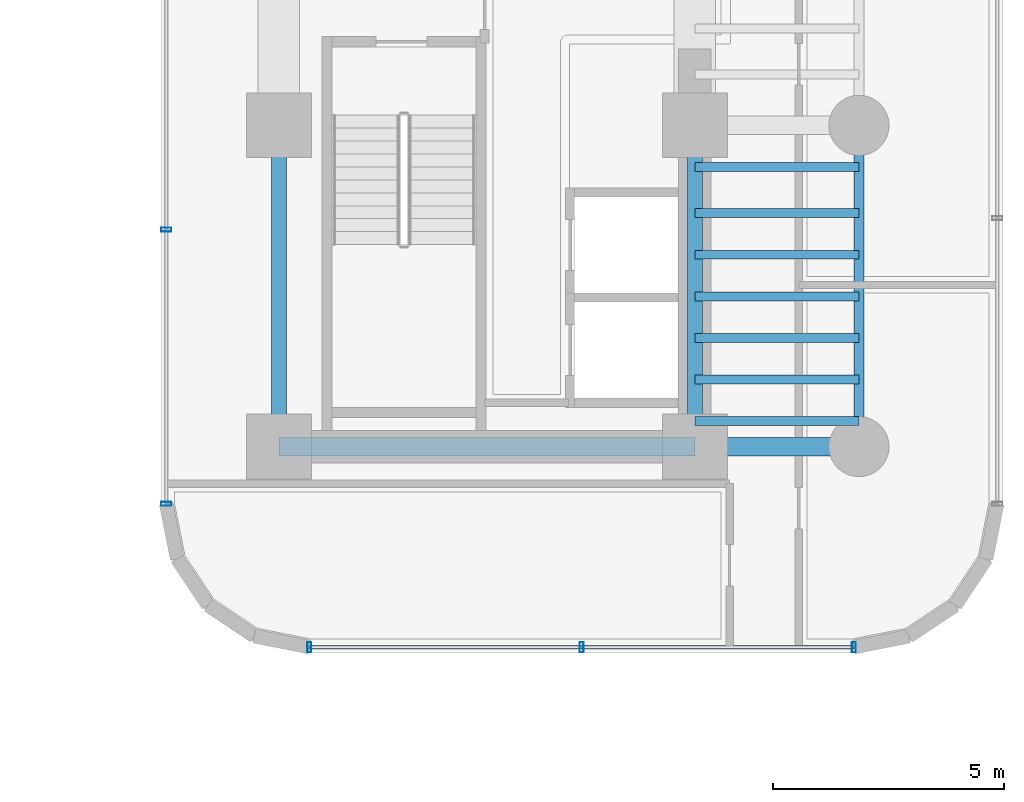
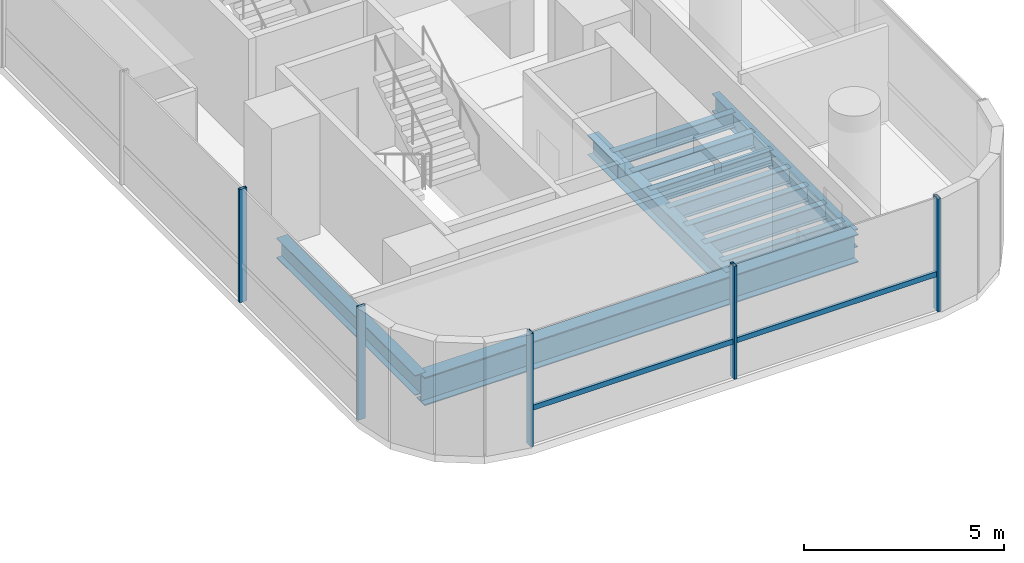
# One storey, part 13 of 39: 12 beams, 6 members, 2 elements without a shape of their own.
"""IFC4 building model written with IfcOpenShell, lengths in metres."""

import ifcopenshell
import ifcopenshell.guid

model = None  # the IFC model being written
_history = None  # IfcOwnerHistory: only IFC2X3 demands one
_inside = {}  # id of a spatial element -> (the spatial element, [elements in it])
_under = {}  # id of a project, library or spatial element -> (it, [spatial elements below it])
_declared = {}  # id of a project -> (the project, [libraries it declares])
_typed = {}  # id of a type object -> (the type object, [elements of that type])
_made_of = {}  # id of a material, layer set ... -> (it, [elements and type objects made of it])


def new_model(schema):
    """Start an empty IFC model of exactly this schema.

    Asked for "IFC4X3", IfcOpenShell would pick the latest addendum, in which some entities
    have other attributes; the version numbers below select the first issue.
    IFC2X3 requires an IfcOwnerHistory on every rooted entity: one is made here for all.
    """
    global model, _history
    if schema == "IFC4X3":
        model = ifcopenshell.file(schema_version=(4, 3, 0, 0))
    else:
        model = ifcopenshell.file(schema=schema)
    _inside.clear()
    _under.clear()
    _declared.clear()
    _typed.clear()
    _made_of.clear()
    _history = None
    if model.schema == "IFC2X3":
        org = make("IfcOrganization", Name="unknown")
        user = make(
            "IfcPersonAndOrganization",
            ThePerson=make("IfcPerson", FamilyName="unknown"),
            TheOrganization=org,
        )
        app = make(
            "IfcApplication",
            ApplicationDeveloper=org,
            Version="unknown",
            ApplicationFullName="unknown",
            ApplicationIdentifier="unknown",
        )
        _history = make(
            "IfcOwnerHistory",
            OwningUser=user,
            OwningApplication=app,
            ChangeAction="ADDED",
            CreationDate=0,
        )
    return model


def make(cls, **values):
    """One entity of the class cls with the attributes given. An attribute that is None is left unset."""
    return model.create_entity(
        cls, **{name: value for name, value in values.items() if value is not None}
    )


def rooted(cls, **values):
    """An entity with a GlobalId (a new one), such as an element, a storey or a relation."""
    return make(cls, GlobalId=ifcopenshell.guid.new(), OwnerHistory=_history, **values)


def si_unit(unit_type, name, prefix=None):
    """IfcSIUnit, for example si_unit("LENGTHUNIT", "METRE", prefix="MILLI")."""
    return make("IfcSIUnit", UnitType=unit_type, Prefix=prefix, Name=name)


def assignment(units):
    """IfcUnitAssignment: the units of a project."""
    return None if units is None else make("IfcUnitAssignment", Units=units)


def point(xyz):
    """IfcCartesianPoint."""
    return None if xyz is None else make("IfcCartesianPoint", Coordinates=xyz)


def direction(xyz):
    """IfcDirection."""
    return None if xyz is None else make("IfcDirection", DirectionRatios=xyz)


def frame(location, z_axis=None, x_axis=None):
    """IfcAxis2Placement3D, a coordinate frame: its origin and axes. An axis left out is left unset."""
    return make(
        "IfcAxis2Placement3D",
        Location=point(location),
        Axis=direction(z_axis),
        RefDirection=direction(x_axis),
    )


def frame_2d(location, x_axis=None):
    """IfcAxis2Placement2D, a coordinate frame in the plane: its origin and x axis."""
    return make(
        "IfcAxis2Placement2D", Location=point(location), RefDirection=direction(x_axis)
    )


def origin():
    """The frame at (0, 0, 0) with its axes left unset."""
    return frame((0.0, 0.0, 0.0))


def origin_2d():
    """The frame at (0, 0) in the plane with its x axis left unset."""
    return frame_2d((0.0, 0.0))


def place(relative_to, where):
    """IfcLocalPlacement: puts the frame where relative to a parent placement (None: the world)."""
    return make(
        "IfcLocalPlacement", PlacementRelTo=relative_to, RelativePlacement=where
    )


def context(
    kind, dimensions, precision=None, world=None, true_north=None, identifier=None
):
    """IfcGeometricRepresentationContext, for example the 3D "Model" context."""
    return make(
        "IfcGeometricRepresentationContext",
        ContextIdentifier=identifier,
        ContextType=kind,
        CoordinateSpaceDimension=dimensions,
        Precision=precision,
        WorldCoordinateSystem=world,
        TrueNorth=true_north,
    )


def subcontext(parent, identifier, kind, view, scale=None):
    """IfcGeometricRepresentationSubContext, for example "Body" below "Model"."""
    return make(
        "IfcGeometricRepresentationSubContext",
        ContextIdentifier=identifier,
        ContextType=kind,
        ParentContext=parent,
        TargetScale=scale,
        TargetView=view,
    )


def project(units=None, contexts=None):
    """IfcProject with its units and contexts."""
    return rooted(
        "IfcProject",
        Name="project",
        RepresentationContexts=contexts,
        UnitsInContext=assignment(units),
    )


def spatial(cls, under=None, at=None, **own):
    """A site, building, storey or space (cls), placed at a placement, below another one or the project."""
    s = rooted(cls, ObjectPlacement=at, **own)
    if under is not None:
        _under.setdefault(under.id(), (under, []))[1].append(s)
    return s


def profile(cls, at=None, kind="AREA", **sizes):
    """A parametric profile (cls). Its sizes go by their IFC names, for example OverallWidth=200.0."""
    return make(cls, ProfileType=kind, Position=at, **sizes)


def hollow_rectangle(**sizes):
    """IfcRectangleHollowProfileDef."""
    return profile("IfcRectangleHollowProfileDef", **sizes)


def i_section(**sizes):
    """IfcIShapeProfileDef."""
    return profile("IfcIShapeProfileDef", **sizes)


def extrude(swept, where, along, depth):
    """IfcExtrudedAreaSolid: the profile swept, set in the frame where, extruded along a direction by depth."""
    return make(
        "IfcExtrudedAreaSolid",
        SweptArea=swept,
        Position=where,
        ExtrudedDirection=direction(along),
        Depth=depth,
    )


def shape(context_of_items, identifier, shape_type, items):
    """IfcShapeRepresentation: the items that make up one representation, for example the "Body"."""
    return make(
        "IfcShapeRepresentation",
        ContextOfItems=context_of_items,
        RepresentationIdentifier=identifier,
        RepresentationType=shape_type,
        Items=items,
    )


def source(mapping_origin, context_of_items, identifier, shape_type, items):
    """IfcRepresentationMap: a shape defined once, which mapped items show again and again."""
    return make(
        "IfcRepresentationMap",
        MappingOrigin=mapping_origin,
        MappedRepresentation=shape(context_of_items, identifier, shape_type, items),
    )


def transform(
    local_origin,
    x_axis=None,
    y_axis=None,
    z_axis=None,
    scale=None,
    scale2=None,
    scale3=None,
    uniform=True,
):
    """IfcCartesianTransformationOperator3D, or its non-uniform kind. x_axis, y_axis, z_axis: its Axis1, 2, 3."""
    if uniform:
        return make(
            "IfcCartesianTransformationOperator3D",
            Axis1=direction(x_axis),
            Axis2=direction(y_axis),
            LocalOrigin=point(local_origin),
            Scale=scale,
            Axis3=direction(z_axis),
        )
    return make(
        "IfcCartesianTransformationOperator3DnonUniform",
        Axis1=direction(x_axis),
        Axis2=direction(y_axis),
        LocalOrigin=point(local_origin),
        Scale=scale,
        Axis3=direction(z_axis),
        Scale2=scale2,
        Scale3=scale3,
    )


def mapped(mapping_source, mapping_target):
    """IfcMappedItem: shows the shape of a source again, moved by a transform."""
    return make(
        "IfcMappedItem", MappingSource=mapping_source, MappingTarget=mapping_target
    )


def material(Name=None, Category=None):
    """IfcMaterial."""
    return make("IfcMaterial", Name=Name, Category=Category)


def material_profile(
    of_material, cross_section, Name=None, Category=None, Priority=None
):
    """IfcMaterialProfile: a cross section and its material."""
    return make(
        "IfcMaterialProfile",
        Name=Name,
        Material=of_material,
        Profile=cross_section,
        Priority=Priority,
        Category=Category,
    )


def profile_set(profiles, Name=None, composite=None):
    """IfcMaterialProfileSet."""
    return make(
        "IfcMaterialProfileSet",
        Name=Name,
        MaterialProfiles=profiles,
        CompositeProfile=composite,
    )


def made_of(thing, what):
    """Note that an element or type object is made of a material, layer set ...; save() writes the relation."""
    if what is not None:
        _made_of.setdefault(what.id(), (what, []))[1].append(thing)
    return thing


def type_object(cls, material=None, **own):
    """A type object (cls), such as IfcWallType, which elements share."""
    return made_of(rooted(cls, **own), material)


def element(
    cls,
    number,
    at=None,
    inside=None,
    cuts=None,
    type_object=None,
    material=None,
    context=None,
    identifier="Body",
    shape_type=None,
    held_by="IfcProductDefinitionShape",
    body=None,
    shapes=None,
    **own,
):
    """One element of the class cls, such as IfcWall. Its Tag is "e" and its number.

    at: its placement. inside: the storey or other place that contains it. cuts: it is an
    opening in that element (IfcRelVoidsElement). A single representation is given by context,
    identifier, shape_type and body (its items); several are given by shapes. held_by: the class
    of the entity that holds the representations. save() writes the other relations.
    """
    e = rooted(cls, Tag="e%d" % number, ObjectPlacement=at, **own)
    if body is not None:
        shapes = [shape(context, identifier, shape_type, body)]
    if shapes is not None:
        e.Representation = make(held_by, Representations=shapes)
    if inside is not None:
        _inside.setdefault(inside.id(), (inside, []))[1].append(e)
    if cuts is not None:
        rooted(
            "IfcRelVoidsElement", RelatingBuildingElement=cuts, RelatedOpeningElement=e
        )
    if type_object is not None:
        _typed.setdefault(type_object.id(), (type_object, []))[1].append(e)
    return made_of(e, material)


def aggregate(whole, parts):
    """IfcRelAggregates: a whole, such as a stair, and the parts it consists of."""
    return rooted("IfcRelAggregates", RelatingObject=whole, RelatedObjects=parts)


def save(model, path):
    """Write the relations noted so far, then the file.

    IfcRelAggregates (storeys below a building ...), IfcRelContainedInSpatialStructure (elements
    in a storey), IfcRelDefinesByType, IfcRelAssociatesMaterial and IfcRelDeclares: one each for
    every whole, place, type object, material and project.
    """
    for whole, parts in _under.values():
        aggregate(whole, parts)
    for where, things in _inside.values():
        rooted(
            "IfcRelContainedInSpatialStructure",
            RelatedElements=things,
            RelatingStructure=where,
        )
    for kind, things in _typed.values():
        rooted("IfcRelDefinesByType", RelatedObjects=things, RelatingType=kind)
    for what, things in _made_of.values():
        rooted("IfcRelAssociatesMaterial", RelatedObjects=things, RelatingMaterial=what)
    for by, libraries in _declared.values():
        rooted("IfcRelDeclares", RelatingContext=by, RelatedDefinitions=libraries)
    model.write(path)


model = new_model("IFC4")

# Units and contexts
model_context = context("Model", 3, precision=1e-05, world=origin(), true_north=direction((0.0, 1.0)))
body_context = subcontext(model_context, "Body", "Model", "MODEL_VIEW")
ifc_project = project(units=[si_unit("LENGTHUNIT", "METRE"), si_unit("AREAUNIT", "SQUARE_METRE"), si_unit("VOLUMEUNIT", "CUBIC_METRE"), si_unit("PLANEANGLEUNIT", "RADIAN"), si_unit("MASSUNIT", "GRAM", prefix="KILO")], contexts=[model_context])

# Site, building, storey
site_placement = place(None, origin())
site = spatial("IfcSite", under=ifc_project, at=site_placement, CompositionType="ELEMENT")
building_placement = place(site_placement, origin())
building = spatial("IfcBuilding", under=site, at=building_placement, Name="Valdorenza Pilgrim Sanctuary Tower", CompositionType="ELEMENT")
storey_placement = place(building_placement, frame((0.0, 0.0, 33.39990234375)))
storey = spatial("IfcBuildingStorey", under=building, at=storey_placement, Name="L07", CompositionType="ELEMENT", Elevation=33.39990234375)

# Beams
ifc_material_1 = material(Name="Steel ASTM A992 Grade 50", Category="steel")
ifc_material_profile_1 = material_profile(ifc_material_1, i_section(OverallWidth=0.323974609375, OverallDepth=0.611083984375, WebThickness=0.0126953125, FlangeThickness=0.01904296875, at=origin_2d()), Name="W24X104")
ifc_profile_set_1 = profile_set([ifc_material_profile_1], Name="Steel ASTM A992 Grade 50")
beam_type_1 = type_object("IfcBeamType", Name="STR-BM-GRD-W24B", PredefinedType="BEAM", material=ifc_profile_set_1)
shared_shape_1 = source(origin(), body_context, "Body", "SweptSolid", [
    extrude(i_section(OverallWidth=0.323974609375, OverallDepth=0.611083984375, WebThickness=0.0126953125, FlangeThickness=0.01904296875, at=origin_2d()), origin(), (0.0, 0.0, 1.0), 6.949951171875),
])
for number, where, z_axis, x_axis, name in (
    (1, (15.85009765625, -9.550048828125, -0.54541015625), (0.0, 1.0, 0.0), (-1.0, 0.0, 0.0), "L07 Core Tie Girder CB-W-S1M0"),
    (2, (24.85009765625, -9.550048828125, -0.54541015625), (0.0, 1.0, 0.0), (-1.0, 0.0, 0.0), "L07 Core Tie Girder CB-E-S1M0"),
):
    element("IfcBeam", number, at=place(storey_placement, frame(where, z_axis=z_axis, x_axis=x_axis)), inside=storey, type_object=beam_type_1, Name=name, PredefinedType="BEAM", context=body_context, shape_type="MappedRepresentation", body=[
        mapped(shared_shape_1, transform((0.0, 0.0, 0.0), x_axis=(1.0, 0.0, 0.0), y_axis=(0.0, 1.0, 0.0), z_axis=(0.0, 0.0, 1.0), scale=1.0)),
    ])
ifc_material_profile_2 = material_profile(ifc_material_1, i_section(OverallWidth=0.214111328125, OverallDepth=0.549072265625, WebThickness=0.0146484375, FlangeThickness=0.023681640625, at=origin_2d()), Name="W21X93")
ifc_profile_set_2 = profile_set([ifc_material_profile_2], Name="Steel ASTM A992 Grade 50")
beam_type_2 = type_object("IfcBeamType", Name="STR-BM-SPN-W21A", PredefinedType="SPANDREL", material=ifc_profile_set_2)
shared_shape_2 = source(origin(), body_context, "Body", "SweptSolid", [
    extrude(i_section(OverallWidth=0.214111328125, OverallDepth=0.549072265625, WebThickness=0.0146484375, FlangeThickness=0.023681640625, at=origin_2d()), origin(), (0.0, 0.0, 1.0), 6.949951171875),
])
beam_1_placement = place(storey_placement, frame((28.39990234375, -9.550048828125, -0.514404296875), z_axis=(0.0, 1.0, 0.0), x_axis=(-1.0, 0.0, 0.0)))
element("IfcBeam", 3, at=beam_1_placement, inside=storey, type_object=beam_type_2, Name="L07 Spandrel Beam WB-E-S1M0", PredefinedType="SPANDREL", context=body_context, shape_type="MappedRepresentation", body=[
    mapped(shared_shape_2, transform((0.0, 0.0, 0.0), x_axis=(1.0, 0.0, 0.0), y_axis=(0.0, 1.0, 0.0), z_axis=(0.0, 0.0, 1.0), scale=1.0)),
])
ifc_material_profile_3 = material_profile(ifc_material_1, i_section(OverallWidth=0.193115234375, OverallDepth=0.466064453125, WebThickness=0.011474609375, FlangeThickness=0.01904296875, at=origin_2d()), Name="W18X65")
ifc_profile_set_3 = profile_set([ifc_material_profile_3], Name="Steel ASTM A992 Grade 50")
beam_type_3 = type_object("IfcBeamType", Name="STR-BM-JST-W18A", PredefinedType="JOIST", material=ifc_profile_set_3)
shared_shape_3 = source(origin(), body_context, "Body", "SweptSolid", [
    extrude(i_section(OverallWidth=0.193115234375, OverallDepth=0.466064453125, WebThickness=0.011474609375, FlangeThickness=0.01904296875, at=origin_2d()), origin(), (0.0, 0.0, 1.0), 3.5498046875),
])
for number, where, z_axis, x_axis, name in (
    (4, (24.85009765625, -9.0, -0.472900390625), (1.0, 0.0, 0.0), (0.0, 1.0, 0.0), "L07 Composite Floor Joist JST-WB-1"),
    (5, (24.85009765625, -8.10009765625, -0.472900390625), (1.0, 0.0, 0.0), (0.0, 1.0, 0.0), "L07 Composite Floor Joist JST-WB-2"),
    (6, (24.85009765625, -7.199951171875, -0.472900390625), (1.0, 0.0, 0.0), (0.0, 1.0, 0.0), "L07 Composite Floor Joist JST-WB-3"),
    (7, (24.85009765625, -6.300048828125, -0.472900390625), (1.0, 0.0, 0.0), (0.0, 1.0, 0.0), "L07 Composite Floor Joist JST-WB-4"),
    (8, (24.85009765625, -5.39990234375, -0.472900390625), (1.0, 0.0, 0.0), (0.0, 1.0, 0.0), "L07 Composite Floor Joist JST-WB-5"),
    (9, (24.85009765625, -4.5, -0.472900390625), (1.0, 0.0, 0.0), (0.0, 1.0, 0.0), "L07 Composite Floor Joist JST-WB-6"),
    (10, (24.85009765625, -3.5, -0.472900390625), (1.0, 0.0, 0.0), (0.0, 1.0, 0.0), "L07 Composite Floor Joist JST-WB-7"),
):
    element("IfcBeam", number, at=place(storey_placement, frame(where, z_axis=z_axis, x_axis=x_axis)), inside=storey, type_object=beam_type_3, Name=name, PredefinedType="JOIST", context=body_context, shape_type="MappedRepresentation", body=[
        mapped(shared_shape_3, transform((0.0, 0.0, 0.0), x_axis=(1.0, 0.0, 0.0), y_axis=(0.0, 1.0, 0.0), z_axis=(0.0, 0.0, 1.0), scale=1.0)),
    ])
ifc_material_profile_4 = material_profile(ifc_material_1, i_section(OverallWidth=0.39990234375, OverallDepth=0.862060546875, WebThickness=0.019775390625, FlangeThickness=0.032470703125, at=origin_2d()), Name="W33X221")
ifc_profile_set_4 = profile_set([ifc_material_profile_4], Name="Steel ASTM A992 Grade 50")
beam_type_4 = type_object("IfcBeamType", Name="STR-BM-GRD-W33", PredefinedType="BEAM", material=ifc_profile_set_4)
shared_shape_4 = source(origin(), body_context, "Body", "SweptSolid", [
    extrude(i_section(OverallWidth=0.39990234375, OverallDepth=0.862060546875, WebThickness=0.019775390625, FlangeThickness=0.032470703125, at=origin_2d()), origin(), (0.0, 0.0, 1.0), 9.0),
])
beam_2_placement = place(storey_placement, frame((15.85009765625, -9.550048828125, -0.6708984375), z_axis=(1.0, 0.0, 0.0), x_axis=(0.0, 1.0, 0.0)))
element("IfcBeam", 11, at=beam_2_placement, inside=storey, type_object=beam_type_4, Name="L07 Floor Girder CB-XC-S1", PredefinedType="BEAM", context=body_context, shape_type="MappedRepresentation", body=[
    mapped(shared_shape_4, transform((0.0, 0.0, 0.0), x_axis=(1.0, 0.0, 0.0), y_axis=(0.0, 1.0, 0.0), z_axis=(0.0, 0.0, 1.0), scale=1.0)),
])
shared_shape_5 = source(origin(), body_context, "Body", "SweptSolid", [
    extrude(i_section(OverallWidth=0.39990234375, OverallDepth=0.862060546875, WebThickness=0.019775390625, FlangeThickness=0.032470703125, at=origin_2d()), origin(), (0.0, 0.0, 1.0), 3.5498046875),
])
beam_3_placement = place(storey_placement, frame((24.85009765625, -9.550048828125, -0.6708984375), z_axis=(1.0, 0.0, 0.0), x_axis=(0.0, 1.0, 0.0)))
element("IfcBeam", 12, at=beam_3_placement, inside=storey, type_object=beam_type_4, Name="L07 Floor Girder WB-XE-S1", PredefinedType="BEAM", context=body_context, shape_type="MappedRepresentation", body=[
    mapped(shared_shape_5, transform((0.0, 0.0, 0.0), x_axis=(1.0, 0.0, 0.0), y_axis=(0.0, 1.0, 0.0), z_axis=(0.0, 0.0, 1.0), scale=1.0)),
])

# Curtain wall, members
ifc_material_2 = material(Name="Curtain-wall IGU glazing", Category="glass")
curtain_wall_type = type_object("IfcCurtainWallType", Name="CW-SYS-03", PredefinedType="NOTDEFINED", material=ifc_material_2)
curtain_wall_1_placement = place(storey_placement, origin())
curtain_wall_1 = element("IfcCurtainWall", 13, at=curtain_wall_1_placement, inside=storey, type_object=curtain_wall_type, Name="L07 Curtain Wall CW-L07-1-26", PredefinedType="NOTDEFINED")
ifc_material_3 = material(Name="Anodised aluminium AW-6060", Category="aluminium")
ifc_material_profile_5 = material_profile(ifc_material_3, hollow_rectangle(XDim=0.074951171875, YDim=0.159912109375, WallThickness=0.00390625, at=origin_2d()), Name="ALU-T 160x75x4")
ifc_profile_set_5 = profile_set([ifc_material_profile_5], Name="Anodised aluminium AW-6060")
member_type_1 = type_object("IfcMemberType", Name="CW-TRN-03", PredefinedType="USERDEFINED", material=ifc_profile_set_5)
shared_shape_6 = source(origin(), body_context, "Body", "SweptSolid", [
    extrude(hollow_rectangle(XDim=0.074951171875, YDim=0.159912109375, WallThickness=0.00390625, at=origin_2d()), origin(), (0.0, 0.0, 1.0), 11.778564453125),
])
member_1_placement = place(storey_placement, frame((28.289306640625, -13.889892578125, 1.1201171875), z_axis=(-1.0, 0.0, 0.0), x_axis=(0.0, -1.0, 0.0)))
member_1 = element("IfcMember", 14, at=member_1_placement, type_object=member_type_1, Name="CW-L07-1-26 Transom 1", ObjectType="TRANSOM", PredefinedType="USERDEFINED", context=body_context, shape_type="MappedRepresentation", body=[
    mapped(shared_shape_6, transform((0.0, 0.0, 0.0), x_axis=(1.0, 0.0, 0.0), y_axis=(0.0, 1.0, 0.0), z_axis=(0.0, 0.0, 1.0), scale=1.0)),
])
ifc_material_profile_6 = material_profile(ifc_material_3, hollow_rectangle(XDim=0.0849609375, YDim=0.219970703125, WallThickness=0.0048828125, at=origin_2d()), Name="ALU-M 220x85x5")
ifc_profile_set_6 = profile_set([ifc_material_profile_6], Name="Anodised aluminium AW-6060")
member_type_2 = type_object("IfcMemberType", Name="CW-MUL-03", PredefinedType="MULLION", material=ifc_profile_set_6)
shared_shape_7 = source(origin(), body_context, "Body", "SweptSolid", [
    extrude(hollow_rectangle(XDim=0.0849609375, YDim=0.219970703125, WallThickness=0.0048828125, at=origin_2d()), origin(), (0.0, 0.0, 1.0), 3.460205078125),
])
member_2_placement = place(storey_placement, frame((28.289306640625, -13.889892578125, 0.0), z_axis=(0.0, 0.0, 1.0), x_axis=(-1.0, 0.0, 0.0)))
member_2 = element("IfcMember", 15, at=member_2_placement, type_object=member_type_2, Name="CW-L07-1-26 Mullion 1", PredefinedType="MULLION", context=body_context, shape_type="MappedRepresentation", body=[
    mapped(shared_shape_7, transform((0.0, 0.0, 0.0), x_axis=(1.0, 0.0, 0.0), y_axis=(0.0, 1.0, 0.0), z_axis=(0.0, 0.0, 1.0), scale=1.0)),
])
member_3_placement = place(storey_placement, frame((22.39990234375, -13.889892578125, 0.0), z_axis=(0.0, 0.0, 1.0), x_axis=(-1.0, 0.0, 0.0)))
member_3 = element("IfcMember", 16, at=member_3_placement, type_object=member_type_2, Name="CW-L07-1-26 Mullion 2", PredefinedType="MULLION", context=body_context, shape_type="MappedRepresentation", body=[
    mapped(shared_shape_7, transform((0.0, 0.0, 0.0), x_axis=(1.0, 0.0, 0.0), y_axis=(0.0, 1.0, 0.0), z_axis=(0.0, 0.0, 1.0), scale=1.0)),
])
member_4_placement = place(storey_placement, frame((16.5107421875, -13.889892578125, 0.0), z_axis=(0.0, 0.0, 1.0), x_axis=(-1.0, 0.0, 0.0)))
member_4 = element("IfcMember", 17, at=member_4_placement, type_object=member_type_2, Name="CW-L07-1-26 Mullion 3", PredefinedType="MULLION", context=body_context, shape_type="MappedRepresentation", body=[
    mapped(shared_shape_7, transform((0.0, 0.0, 0.0), x_axis=(1.0, 0.0, 0.0), y_axis=(0.0, 1.0, 0.0), z_axis=(0.0, 0.0, 1.0), scale=1.0)),
])
aggregate(curtain_wall_1, [member_2, member_3, member_4, member_1])

curtain_wall_2_placement = place(storey_placement, origin())
curtain_wall_2 = element("IfcCurtainWall", 18, at=curtain_wall_2_placement, inside=storey, type_object=curtain_wall_type, Name="L07 Curtain Wall CW-L07-1-31", PredefinedType="NOTDEFINED")
member_5_placement = place(storey_placement, frame((13.409912109375, -10.789306640625, 0.0), z_axis=(0.0, 0.0, 1.0), x_axis=(0.0, 1.0, 0.0)))
member_5 = element("IfcMember", 19, at=member_5_placement, type_object=member_type_2, Name="CW-L07-1-31 Mullion 1", PredefinedType="MULLION", context=body_context, shape_type="MappedRepresentation", body=[
    mapped(shared_shape_7, transform((0.0, 0.0, 0.0), x_axis=(1.0, 0.0, 0.0), y_axis=(0.0, 1.0, 0.0), z_axis=(0.0, 0.0, 1.0), scale=1.0)),
])
member_6_placement = place(storey_placement, frame((13.409912109375, -4.85595703125, 0.0), z_axis=(0.0, 0.0, 1.0), x_axis=(0.0, 1.0, 0.0)))
member_6 = element("IfcMember", 20, at=member_6_placement, type_object=member_type_2, Name="CW-L07-1-31 Mullion 2", PredefinedType="MULLION", context=body_context, shape_type="MappedRepresentation", body=[
    mapped(shared_shape_7, transform((0.0, 0.0, 0.0), x_axis=(1.0, 0.0, 0.0), y_axis=(0.0, 1.0, 0.0), z_axis=(0.0, 0.0, 1.0), scale=1.0)),
])
aggregate(curtain_wall_2, [member_5, member_6])

save(model, "model.ifc")
